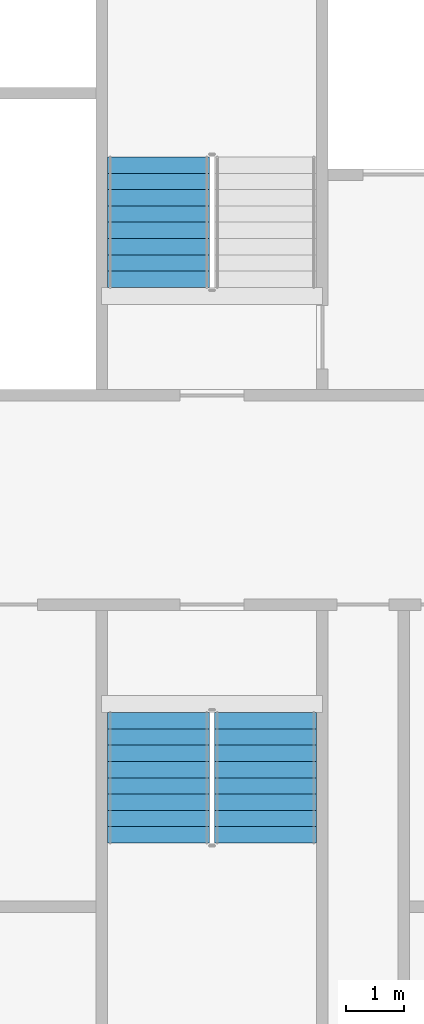
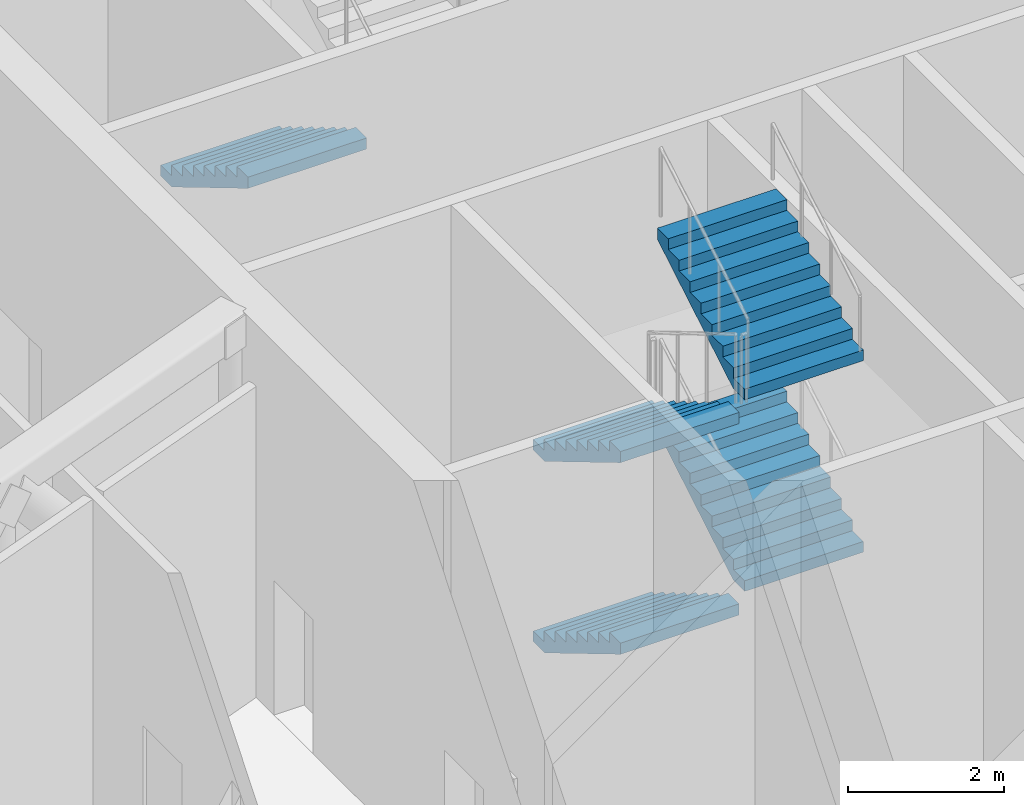
# One storey, part 25 of 40: 5 stair flights, 2 elements without a shape of their own.
"""IFC4 building model written with IfcOpenShell, lengths in metres."""

from ifc_helpers import new_model, si_unit, direction, frame, origin, place, context, subcontext, project, spatial, faceted_brep, material, type_object, element, aggregate, save


model = new_model("IFC4")

# Units and contexts
model_context = context("Model", 3, precision=1e-05, world=origin(), true_north=direction((0.0, 1.0)))
body_context = subcontext(model_context, "Body", "Model", "MODEL_VIEW")
ifc_project = project(units=[si_unit("LENGTHUNIT", "METRE"), si_unit("AREAUNIT", "SQUARE_METRE"), si_unit("VOLUMEUNIT", "CUBIC_METRE"), si_unit("PLANEANGLEUNIT", "RADIAN"), si_unit("MASSUNIT", "GRAM", prefix="KILO")], contexts=[model_context])

# Site, building, storey
site_placement = place(None, origin())
site = spatial("IfcSite", under=ifc_project, at=site_placement, CompositionType="ELEMENT")
building_placement = place(site_placement, origin())
building = spatial("IfcBuilding", under=site, at=building_placement, Name="Tarsis Ring Headquarters", CompositionType="ELEMENT")
storey_placement = place(building_placement, frame((0.0, 0.0, 354.800048828125)))
storey = spatial("IfcBuildingStorey", under=building, at=storey_placement, Name="L84", CompositionType="ELEMENT", Elevation=354.800048828125)

# Stair, stair flight
ifc_material_1 = material(Name="Core stair 1760")
stair_type = type_object("IfcStairType", Name="Core stair 1760", PredefinedType="HALF_TURN_STAIR", material=ifc_material_1)
stair_1_placement = place(storey_placement, origin())
stair_1 = element("IfcStair", 1, at=stair_1_placement, inside=storey, type_object=stair_type, Name="L84 Firefighting stair", PredefinedType="HALF_TURN_STAIR")
ifc_material_2 = material(Name="Concrete C40/50", Category="concrete")
stair_flight_type = type_object("IfcStairFlightType", Name="Core stair flight 1760", PredefinedType="STRAIGHT", material=ifc_material_2)
stair_flight_1_placement = place(storey_placement, frame((-5.419921875, 5.89990234375, 1.5), z_axis=(0.0, 0.0, 1.0), x_axis=(0.0, -1.0, 0.0)))
stair_flight_1 = element("IfcStairFlight", 2, at=stair_flight_1_placement, type_object=stair_flight_type, Name="Stair ST1 flight 2", NumberOfRisers=9, NumberOfTreads=8, PredefinedType="STRAIGHT", RiserHeight=0.166666667, TreadLength=0.28, context=body_context, shape_type="Brep", body=[
    faceted_brep([(0.0, 0.8798828125, 0.0), (0.0, 0.8798828125, 0.166748046875), (0.280029296875, 0.8798828125, 0.166748046875), (0.280029296875, 0.8798828125, 0.333251953125), (0.56005859375, 0.8798828125, 0.333251953125), (0.56005859375, 0.8798828125, 0.5), (0.840087890625, 0.8798828125, 0.5), (0.840087890625, 0.8798828125, 0.666748046875), (1.1201171875, 0.8798828125, 0.666748046875), (1.1201171875, 0.8798828125, 0.833251953125), (1.39990234375, 0.8798828125, 0.833251953125), (1.39990234375, 0.8798828125, 1.0), (1.679931640625, 0.8798828125, 1.0), (1.679931640625, 0.8798828125, 1.166748046875), (1.9599609375, 0.8798828125, 1.166748046875), (1.9599609375, 0.8798828125, 1.333251953125), (2.239990234375, 0.8798828125, 1.333251953125), (2.239990234375, 0.8798828125, 1.158935546875), (0.29296875, 0.8798828125, 0.0), (0.29296875, -0.8798828125, 0.0), (2.239990234375, -0.8798828125, 1.158935546875), (2.239990234375, -0.8798828125, 1.333251953125), (1.9599609375, -0.8798828125, 1.333251953125), (1.9599609375, -0.8798828125, 1.166748046875), (1.679931640625, -0.8798828125, 1.166748046875), (1.679931640625, -0.8798828125, 1.0), (1.39990234375, -0.8798828125, 1.0), (1.39990234375, -0.8798828125, 0.833251953125), (1.1201171875, -0.8798828125, 0.833251953125), (1.1201171875, -0.8798828125, 0.666748046875), (0.840087890625, -0.8798828125, 0.666748046875), (0.840087890625, -0.8798828125, 0.5), (0.56005859375, -0.8798828125, 0.5), (0.56005859375, -0.8798828125, 0.333251953125), (0.280029296875, -0.8798828125, 0.333251953125), (0.280029296875, -0.8798828125, 0.166748046875), (0.0, -0.8798828125, 0.166748046875), (0.0, -0.8798828125, 0.0), (0.0, -0.43994140625, 0.166748046875), (0.0, -0.43994140625, 0.0), (0.0, 0.0, 0.166748046875), (0.0, 0.0, 0.0), (0.0, 0.43994140625, 0.166748046875), (0.0, 0.43994140625, 0.0), (0.280029296875, -0.43994140625, 0.166748046875), (0.280029296875, 0.0, 0.166748046875), (0.280029296875, 0.43994140625, 0.166748046875), (0.280029296875, -0.43994140625, 0.333251953125), (0.280029296875, 0.0, 0.333251953125), (0.280029296875, 0.43994140625, 0.333251953125), (0.56005859375, -0.43994140625, 0.333251953125), (0.56005859375, 0.0, 0.333251953125), (0.56005859375, 0.43994140625, 0.333251953125), (0.56005859375, -0.43994140625, 0.5), (0.56005859375, 0.0, 0.5), (0.56005859375, 0.43994140625, 0.5), (0.840087890625, -0.43994140625, 0.5), (0.840087890625, 0.0, 0.5), (0.840087890625, 0.43994140625, 0.5), (0.840087890625, -0.43994140625, 0.666748046875), (0.840087890625, 0.0, 0.666748046875), (0.840087890625, 0.43994140625, 0.666748046875), (1.1201171875, -0.43994140625, 0.666748046875), (1.1201171875, 0.0, 0.666748046875), (1.1201171875, 0.43994140625, 0.666748046875), (1.1201171875, -0.43994140625, 0.833251953125), (1.1201171875, 0.0, 0.833251953125), (1.1201171875, 0.43994140625, 0.833251953125), (1.39990234375, -0.43994140625, 0.833251953125), (1.39990234375, 0.0, 0.833251953125), (1.39990234375, 0.43994140625, 0.833251953125), (1.39990234375, -0.43994140625, 1.0), (1.39990234375, 0.0, 1.0), (1.39990234375, 0.43994140625, 1.0), (1.679931640625, -0.43994140625, 1.0), (1.679931640625, 0.0, 1.0), (1.679931640625, 0.43994140625, 1.0), (1.679931640625, -0.43994140625, 1.166748046875), (1.679931640625, 0.0, 1.166748046875), (1.679931640625, 0.43994140625, 1.166748046875), (1.9599609375, -0.43994140625, 1.166748046875), (1.9599609375, 0.0, 1.166748046875), (1.9599609375, 0.43994140625, 1.166748046875), (1.9599609375, -0.43994140625, 1.333251953125), (1.9599609375, 0.0, 1.333251953125), (1.9599609375, 0.43994140625, 1.333251953125), (2.239990234375, -0.43994140625, 1.333251953125), (2.239990234375, 0.0, 1.333251953125), (2.239990234375, 0.43994140625, 1.333251953125), (2.239990234375, -0.43994140625, 1.158935546875), (2.239990234375, 0.0, 1.158935546875), (2.239990234375, 0.43994140625, 1.158935546875), (0.29296875, -0.43994140625, 0.0), (0.29296875, 0.0, 0.0), (0.29296875, 0.43994140625, 0.0)], [[[0, 1, 2, 3, 4, 5, 6, 7, 8, 9, 10, 11, 12, 13, 14, 15, 16, 17, 18]], [[19, 20, 21, 22, 23, 24, 25, 26, 27, 28, 29, 30, 31, 32, 33, 34, 35, 36, 37]], [[37, 36, 38, 39]], [[39, 38, 40, 41]], [[41, 40, 42, 43]], [[43, 42, 1, 0]], [[36, 35, 44, 38]], [[38, 44, 45, 40]], [[40, 45, 46, 42]], [[42, 46, 2, 1]], [[35, 34, 47, 44]], [[44, 47, 48, 45]], [[45, 48, 49, 46]], [[46, 49, 3, 2]], [[34, 33, 50, 47]], [[47, 50, 51, 48]], [[48, 51, 52, 49]], [[49, 52, 4, 3]], [[33, 32, 53, 50]], [[50, 53, 54, 51]], [[51, 54, 55, 52]], [[52, 55, 5, 4]], [[32, 31, 56, 53]], [[53, 56, 57, 54]], [[54, 57, 58, 55]], [[55, 58, 6, 5]], [[31, 30, 59, 56]], [[56, 59, 60, 57]], [[57, 60, 61, 58]], [[58, 61, 7, 6]], [[30, 29, 62, 59]], [[59, 62, 63, 60]], [[60, 63, 64, 61]], [[61, 64, 8, 7]], [[29, 28, 65, 62]], [[62, 65, 66, 63]], [[63, 66, 67, 64]], [[64, 67, 9, 8]], [[28, 27, 68, 65]], [[65, 68, 69, 66]], [[66, 69, 70, 67]], [[67, 70, 10, 9]], [[27, 26, 71, 68]], [[68, 71, 72, 69]], [[69, 72, 73, 70]], [[70, 73, 11, 10]], [[26, 25, 74, 71]], [[71, 74, 75, 72]], [[72, 75, 76, 73]], [[73, 76, 12, 11]], [[25, 24, 77, 74]], [[74, 77, 78, 75]], [[75, 78, 79, 76]], [[76, 79, 13, 12]], [[24, 23, 80, 77]], [[77, 80, 81, 78]], [[78, 81, 82, 79]], [[79, 82, 14, 13]], [[23, 22, 83, 80]], [[80, 83, 84, 81]], [[81, 84, 85, 82]], [[82, 85, 15, 14]], [[22, 21, 86, 83]], [[83, 86, 87, 84]], [[84, 87, 88, 85]], [[85, 88, 16, 15]], [[21, 20, 89, 86]], [[86, 89, 90, 87]], [[87, 90, 91, 88]], [[88, 91, 17, 16]], [[20, 19, 92, 89]], [[89, 92, 93, 90]], [[90, 93, 94, 91]], [[91, 94, 18, 17]], [[19, 37, 39, 92]], [[92, 39, 41, 93]], [[93, 41, 43, 94]], [[94, 43, 0, 18]]]),
])
aggregate(stair_1, [stair_flight_1])

# Stair, stair flights
stair_2_placement = place(storey_placement, origin())
stair_2 = element("IfcStair", 3, at=stair_2_placement, inside=storey, type_object=stair_type, Name="L84 Exit stair C", PredefinedType="HALF_TURN_STAIR")
stair_flight_2_placement = place(storey_placement, frame((-5.419921875, -3.659912109375, 0.0), z_axis=(0.0, 0.0, 1.0), x_axis=(0.0, -1.0, 0.0)))
stair_flight_2 = element("IfcStairFlight", 4, at=stair_flight_2_placement, type_object=stair_flight_type, Name="Stair ST3 flight 1", NumberOfRisers=9, NumberOfTreads=8, PredefinedType="STRAIGHT", RiserHeight=0.166666667, TreadLength=0.28, context=body_context, shape_type="Brep", body=[
    faceted_brep([(0.0, 0.8798828125, 0.0), (0.0, 0.8798828125, 0.166748046875), (0.280029296875, 0.8798828125, 0.166748046875), (0.280029296875, 0.8798828125, 0.333251953125), (0.56005859375, 0.8798828125, 0.333251953125), (0.56005859375, 0.8798828125, 0.5), (0.840087890625, 0.8798828125, 0.5), (0.840087890625, 0.8798828125, 0.666748046875), (1.1201171875, 0.8798828125, 0.666748046875), (1.1201171875, 0.8798828125, 0.833251953125), (1.39990234375, 0.8798828125, 0.833251953125), (1.39990234375, 0.8798828125, 1.0), (1.679931640625, 0.8798828125, 1.0), (1.679931640625, 0.8798828125, 1.166748046875), (1.9599609375, 0.8798828125, 1.166748046875), (1.9599609375, 0.8798828125, 1.333251953125), (2.239990234375, 0.8798828125, 1.333251953125), (2.239990234375, 0.8798828125, 1.158935546875), (0.29296875, 0.8798828125, 0.0), (0.29296875, -0.8798828125, 0.0), (2.239990234375, -0.8798828125, 1.158935546875), (2.239990234375, -0.8798828125, 1.333251953125), (1.9599609375, -0.8798828125, 1.333251953125), (1.9599609375, -0.8798828125, 1.166748046875), (1.679931640625, -0.8798828125, 1.166748046875), (1.679931640625, -0.8798828125, 1.0), (1.39990234375, -0.8798828125, 1.0), (1.39990234375, -0.8798828125, 0.833251953125), (1.1201171875, -0.8798828125, 0.833251953125), (1.1201171875, -0.8798828125, 0.666748046875), (0.840087890625, -0.8798828125, 0.666748046875), (0.840087890625, -0.8798828125, 0.5), (0.56005859375, -0.8798828125, 0.5), (0.56005859375, -0.8798828125, 0.333251953125), (0.280029296875, -0.8798828125, 0.333251953125), (0.280029296875, -0.8798828125, 0.166748046875), (0.0, -0.8798828125, 0.166748046875), (0.0, -0.8798828125, 0.0), (0.0, -0.43994140625, 0.166748046875), (0.0, -0.43994140625, 0.0), (0.0, 0.0, 0.166748046875), (0.0, 0.0, 0.0), (0.0, 0.43994140625, 0.166748046875), (0.0, 0.43994140625, 0.0), (0.280029296875, -0.43994140625, 0.166748046875), (0.280029296875, 0.0, 0.166748046875), (0.280029296875, 0.43994140625, 0.166748046875), (0.280029296875, -0.43994140625, 0.333251953125), (0.280029296875, 0.0, 0.333251953125), (0.280029296875, 0.43994140625, 0.333251953125), (0.56005859375, -0.43994140625, 0.333251953125), (0.56005859375, 0.0, 0.333251953125), (0.56005859375, 0.43994140625, 0.333251953125), (0.56005859375, -0.43994140625, 0.5), (0.56005859375, 0.0, 0.5), (0.56005859375, 0.43994140625, 0.5), (0.840087890625, -0.43994140625, 0.5), (0.840087890625, 0.0, 0.5), (0.840087890625, 0.43994140625, 0.5), (0.840087890625, -0.43994140625, 0.666748046875), (0.840087890625, 0.0, 0.666748046875), (0.840087890625, 0.43994140625, 0.666748046875), (1.1201171875, -0.43994140625, 0.666748046875), (1.1201171875, 0.0, 0.666748046875), (1.1201171875, 0.43994140625, 0.666748046875), (1.1201171875, -0.43994140625, 0.833251953125), (1.1201171875, 0.0, 0.833251953125), (1.1201171875, 0.43994140625, 0.833251953125), (1.39990234375, -0.43994140625, 0.833251953125), (1.39990234375, 0.0, 0.833251953125), (1.39990234375, 0.43994140625, 0.833251953125), (1.39990234375, -0.43994140625, 1.0), (1.39990234375, 0.0, 1.0), (1.39990234375, 0.43994140625, 1.0), (1.679931640625, -0.43994140625, 1.0), (1.679931640625, 0.0, 1.0), (1.679931640625, 0.43994140625, 1.0), (1.679931640625, -0.43994140625, 1.166748046875), (1.679931640625, 0.0, 1.166748046875), (1.679931640625, 0.43994140625, 1.166748046875), (1.9599609375, -0.43994140625, 1.166748046875), (1.9599609375, 0.0, 1.166748046875), (1.9599609375, 0.43994140625, 1.166748046875), (1.9599609375, -0.43994140625, 1.333251953125), (1.9599609375, 0.0, 1.333251953125), (1.9599609375, 0.43994140625, 1.333251953125), (2.239990234375, -0.43994140625, 1.333251953125), (2.239990234375, 0.0, 1.333251953125), (2.239990234375, 0.43994140625, 1.333251953125), (2.239990234375, -0.43994140625, 1.158935546875), (2.239990234375, 0.0, 1.158935546875), (2.239990234375, 0.43994140625, 1.158935546875), (0.29296875, -0.43994140625, 0.0), (0.29296875, 0.0, 0.0), (0.29296875, 0.43994140625, 0.0)], [[[0, 1, 2, 3, 4, 5, 6, 7, 8, 9, 10, 11, 12, 13, 14, 15, 16, 17, 18]], [[19, 20, 21, 22, 23, 24, 25, 26, 27, 28, 29, 30, 31, 32, 33, 34, 35, 36, 37]], [[37, 36, 38, 39]], [[39, 38, 40, 41]], [[41, 40, 42, 43]], [[43, 42, 1, 0]], [[36, 35, 44, 38]], [[38, 44, 45, 40]], [[40, 45, 46, 42]], [[42, 46, 2, 1]], [[35, 34, 47, 44]], [[44, 47, 48, 45]], [[45, 48, 49, 46]], [[46, 49, 3, 2]], [[34, 33, 50, 47]], [[47, 50, 51, 48]], [[48, 51, 52, 49]], [[49, 52, 4, 3]], [[33, 32, 53, 50]], [[50, 53, 54, 51]], [[51, 54, 55, 52]], [[52, 55, 5, 4]], [[32, 31, 56, 53]], [[53, 56, 57, 54]], [[54, 57, 58, 55]], [[55, 58, 6, 5]], [[31, 30, 59, 56]], [[56, 59, 60, 57]], [[57, 60, 61, 58]], [[58, 61, 7, 6]], [[30, 29, 62, 59]], [[59, 62, 63, 60]], [[60, 63, 64, 61]], [[61, 64, 8, 7]], [[29, 28, 65, 62]], [[62, 65, 66, 63]], [[63, 66, 67, 64]], [[64, 67, 9, 8]], [[28, 27, 68, 65]], [[65, 68, 69, 66]], [[66, 69, 70, 67]], [[67, 70, 10, 9]], [[27, 26, 71, 68]], [[68, 71, 72, 69]], [[69, 72, 73, 70]], [[70, 73, 11, 10]], [[26, 25, 74, 71]], [[71, 74, 75, 72]], [[72, 75, 76, 73]], [[73, 76, 12, 11]], [[25, 24, 77, 74]], [[74, 77, 78, 75]], [[75, 78, 79, 76]], [[76, 79, 13, 12]], [[24, 23, 80, 77]], [[77, 80, 81, 78]], [[78, 81, 82, 79]], [[79, 82, 14, 13]], [[23, 22, 83, 80]], [[80, 83, 84, 81]], [[81, 84, 85, 82]], [[82, 85, 15, 14]], [[22, 21, 86, 83]], [[83, 86, 87, 84]], [[84, 87, 88, 85]], [[85, 88, 16, 15]], [[21, 20, 89, 86]], [[86, 89, 90, 87]], [[87, 90, 91, 88]], [[88, 91, 17, 16]], [[20, 19, 92, 89]], [[89, 92, 93, 90]], [[90, 93, 94, 91]], [[91, 94, 18, 17]], [[19, 37, 39, 92]], [[92, 39, 41, 93]], [[93, 41, 43, 94]], [[94, 43, 0, 18]]]),
])
stair_flight_3_placement = place(storey_placement, frame((-3.580078125, -5.89990234375, 1.5), z_axis=(0.0, 0.0, 1.0), x_axis=(0.0, 1.0, 0.0)))
stair_flight_3 = element("IfcStairFlight", 5, at=stair_flight_3_placement, type_object=stair_flight_type, Name="Stair ST3 flight 2", NumberOfRisers=9, NumberOfTreads=8, PredefinedType="STRAIGHT", RiserHeight=0.166666667, TreadLength=0.28, context=body_context, shape_type="Brep", body=[
    faceted_brep([(0.0, 0.8798828125, 0.0), (0.0, 0.8798828125, 0.166748046875), (0.280029296875, 0.8798828125, 0.166748046875), (0.280029296875, 0.8798828125, 0.333251953125), (0.56005859375, 0.8798828125, 0.333251953125), (0.56005859375, 0.8798828125, 0.5), (0.840087890625, 0.8798828125, 0.5), (0.840087890625, 0.8798828125, 0.666748046875), (1.1201171875, 0.8798828125, 0.666748046875), (1.1201171875, 0.8798828125, 0.833251953125), (1.39990234375, 0.8798828125, 0.833251953125), (1.39990234375, 0.8798828125, 1.0), (1.679931640625, 0.8798828125, 1.0), (1.679931640625, 0.8798828125, 1.166748046875), (1.9599609375, 0.8798828125, 1.166748046875), (1.9599609375, 0.8798828125, 1.333251953125), (2.239990234375, 0.8798828125, 1.333251953125), (2.239990234375, 0.8798828125, 1.158935546875), (0.29296875, 0.8798828125, 0.0), (0.29296875, -0.8798828125, 0.0), (2.239990234375, -0.8798828125, 1.158935546875), (2.239990234375, -0.8798828125, 1.333251953125), (1.9599609375, -0.8798828125, 1.333251953125), (1.9599609375, -0.8798828125, 1.166748046875), (1.679931640625, -0.8798828125, 1.166748046875), (1.679931640625, -0.8798828125, 1.0), (1.39990234375, -0.8798828125, 1.0), (1.39990234375, -0.8798828125, 0.833251953125), (1.1201171875, -0.8798828125, 0.833251953125), (1.1201171875, -0.8798828125, 0.666748046875), (0.840087890625, -0.8798828125, 0.666748046875), (0.840087890625, -0.8798828125, 0.5), (0.56005859375, -0.8798828125, 0.5), (0.56005859375, -0.8798828125, 0.333251953125), (0.280029296875, -0.8798828125, 0.333251953125), (0.280029296875, -0.8798828125, 0.166748046875), (0.0, -0.8798828125, 0.166748046875), (0.0, -0.8798828125, 0.0), (0.0, -0.43994140625, 0.166748046875), (0.0, -0.43994140625, 0.0), (0.0, 0.0, 0.166748046875), (0.0, 0.0, 0.0), (0.0, 0.43994140625, 0.166748046875), (0.0, 0.43994140625, 0.0), (0.280029296875, -0.43994140625, 0.166748046875), (0.280029296875, 0.0, 0.166748046875), (0.280029296875, 0.43994140625, 0.166748046875), (0.280029296875, -0.43994140625, 0.333251953125), (0.280029296875, 0.0, 0.333251953125), (0.280029296875, 0.43994140625, 0.333251953125), (0.56005859375, -0.43994140625, 0.333251953125), (0.56005859375, 0.0, 0.333251953125), (0.56005859375, 0.43994140625, 0.333251953125), (0.56005859375, -0.43994140625, 0.5), (0.56005859375, 0.0, 0.5), (0.56005859375, 0.43994140625, 0.5), (0.840087890625, -0.43994140625, 0.5), (0.840087890625, 0.0, 0.5), (0.840087890625, 0.43994140625, 0.5), (0.840087890625, -0.43994140625, 0.666748046875), (0.840087890625, 0.0, 0.666748046875), (0.840087890625, 0.43994140625, 0.666748046875), (1.1201171875, -0.43994140625, 0.666748046875), (1.1201171875, 0.0, 0.666748046875), (1.1201171875, 0.43994140625, 0.666748046875), (1.1201171875, -0.43994140625, 0.833251953125), (1.1201171875, 0.0, 0.833251953125), (1.1201171875, 0.43994140625, 0.833251953125), (1.39990234375, -0.43994140625, 0.833251953125), (1.39990234375, 0.0, 0.833251953125), (1.39990234375, 0.43994140625, 0.833251953125), (1.39990234375, -0.43994140625, 1.0), (1.39990234375, 0.0, 1.0), (1.39990234375, 0.43994140625, 1.0), (1.679931640625, -0.43994140625, 1.0), (1.679931640625, 0.0, 1.0), (1.679931640625, 0.43994140625, 1.0), (1.679931640625, -0.43994140625, 1.166748046875), (1.679931640625, 0.0, 1.166748046875), (1.679931640625, 0.43994140625, 1.166748046875), (1.9599609375, -0.43994140625, 1.166748046875), (1.9599609375, 0.0, 1.166748046875), (1.9599609375, 0.43994140625, 1.166748046875), (1.9599609375, -0.43994140625, 1.333251953125), (1.9599609375, 0.0, 1.333251953125), (1.9599609375, 0.43994140625, 1.333251953125), (2.239990234375, -0.43994140625, 1.333251953125), (2.239990234375, 0.0, 1.333251953125), (2.239990234375, 0.43994140625, 1.333251953125), (2.239990234375, -0.43994140625, 1.158935546875), (2.239990234375, 0.0, 1.158935546875), (2.239990234375, 0.43994140625, 1.158935546875), (0.29296875, -0.43994140625, 0.0), (0.29296875, 0.0, 0.0), (0.29296875, 0.43994140625, 0.0)], [[[0, 1, 2, 3, 4, 5, 6, 7, 8, 9, 10, 11, 12, 13, 14, 15, 16, 17, 18]], [[19, 20, 21, 22, 23, 24, 25, 26, 27, 28, 29, 30, 31, 32, 33, 34, 35, 36, 37]], [[37, 36, 38, 39]], [[39, 38, 40, 41]], [[41, 40, 42, 43]], [[43, 42, 1, 0]], [[36, 35, 44, 38]], [[38, 44, 45, 40]], [[40, 45, 46, 42]], [[42, 46, 2, 1]], [[35, 34, 47, 44]], [[44, 47, 48, 45]], [[45, 48, 49, 46]], [[46, 49, 3, 2]], [[34, 33, 50, 47]], [[47, 50, 51, 48]], [[48, 51, 52, 49]], [[49, 52, 4, 3]], [[33, 32, 53, 50]], [[50, 53, 54, 51]], [[51, 54, 55, 52]], [[52, 55, 5, 4]], [[32, 31, 56, 53]], [[53, 56, 57, 54]], [[54, 57, 58, 55]], [[55, 58, 6, 5]], [[31, 30, 59, 56]], [[56, 59, 60, 57]], [[57, 60, 61, 58]], [[58, 61, 7, 6]], [[30, 29, 62, 59]], [[59, 62, 63, 60]], [[60, 63, 64, 61]], [[61, 64, 8, 7]], [[29, 28, 65, 62]], [[62, 65, 66, 63]], [[63, 66, 67, 64]], [[64, 67, 9, 8]], [[28, 27, 68, 65]], [[65, 68, 69, 66]], [[66, 69, 70, 67]], [[67, 70, 10, 9]], [[27, 26, 71, 68]], [[68, 71, 72, 69]], [[69, 72, 73, 70]], [[70, 73, 11, 10]], [[26, 25, 74, 71]], [[71, 74, 75, 72]], [[72, 75, 76, 73]], [[73, 76, 12, 11]], [[25, 24, 77, 74]], [[74, 77, 78, 75]], [[75, 78, 79, 76]], [[76, 79, 13, 12]], [[24, 23, 80, 77]], [[77, 80, 81, 78]], [[78, 81, 82, 79]], [[79, 82, 14, 13]], [[23, 22, 83, 80]], [[80, 83, 84, 81]], [[81, 84, 85, 82]], [[82, 85, 15, 14]], [[22, 21, 86, 83]], [[83, 86, 87, 84]], [[84, 87, 88, 85]], [[85, 88, 16, 15]], [[21, 20, 89, 86]], [[86, 89, 90, 87]], [[87, 90, 91, 88]], [[88, 91, 17, 16]], [[20, 19, 92, 89]], [[89, 92, 93, 90]], [[90, 93, 94, 91]], [[91, 94, 18, 17]], [[19, 37, 39, 92]], [[92, 39, 41, 93]], [[93, 41, 43, 94]], [[94, 43, 0, 18]]]),
])
stair_flight_4_placement = place(storey_placement, frame((-5.419921875, -3.659912109375, 3.0), z_axis=(0.0, 0.0, 1.0), x_axis=(0.0, -1.0, 0.0)))
stair_flight_4 = element("IfcStairFlight", 6, at=stair_flight_4_placement, type_object=stair_flight_type, Name="Stair ST3 flight 3", NumberOfRisers=9, NumberOfTreads=8, PredefinedType="STRAIGHT", RiserHeight=0.166666667, TreadLength=0.28, context=body_context, shape_type="Brep", body=[
    faceted_brep([(0.0, 0.8798828125, 0.0), (0.0, 0.8798828125, 0.166748046875), (0.280029296875, 0.8798828125, 0.166748046875), (0.280029296875, 0.8798828125, 0.333251953125), (0.56005859375, 0.8798828125, 0.333251953125), (0.56005859375, 0.8798828125, 0.5), (0.840087890625, 0.8798828125, 0.5), (0.840087890625, 0.8798828125, 0.666748046875), (1.1201171875, 0.8798828125, 0.666748046875), (1.1201171875, 0.8798828125, 0.833251953125), (1.39990234375, 0.8798828125, 0.833251953125), (1.39990234375, 0.8798828125, 1.0), (1.679931640625, 0.8798828125, 1.0), (1.679931640625, 0.8798828125, 1.166748046875), (1.9599609375, 0.8798828125, 1.166748046875), (1.9599609375, 0.8798828125, 1.333251953125), (2.239990234375, 0.8798828125, 1.333251953125), (2.239990234375, 0.8798828125, 1.158935546875), (0.29296875, 0.8798828125, 0.0), (0.29296875, -0.8798828125, 0.0), (2.239990234375, -0.8798828125, 1.158935546875), (2.239990234375, -0.8798828125, 1.333251953125), (1.9599609375, -0.8798828125, 1.333251953125), (1.9599609375, -0.8798828125, 1.166748046875), (1.679931640625, -0.8798828125, 1.166748046875), (1.679931640625, -0.8798828125, 1.0), (1.39990234375, -0.8798828125, 1.0), (1.39990234375, -0.8798828125, 0.833251953125), (1.1201171875, -0.8798828125, 0.833251953125), (1.1201171875, -0.8798828125, 0.666748046875), (0.840087890625, -0.8798828125, 0.666748046875), (0.840087890625, -0.8798828125, 0.5), (0.56005859375, -0.8798828125, 0.5), (0.56005859375, -0.8798828125, 0.333251953125), (0.280029296875, -0.8798828125, 0.333251953125), (0.280029296875, -0.8798828125, 0.166748046875), (0.0, -0.8798828125, 0.166748046875), (0.0, -0.8798828125, 0.0), (0.0, -0.43994140625, 0.166748046875), (0.0, -0.43994140625, 0.0), (0.0, 0.0, 0.166748046875), (0.0, 0.0, 0.0), (0.0, 0.43994140625, 0.166748046875), (0.0, 0.43994140625, 0.0), (0.280029296875, -0.43994140625, 0.166748046875), (0.280029296875, 0.0, 0.166748046875), (0.280029296875, 0.43994140625, 0.166748046875), (0.280029296875, -0.43994140625, 0.333251953125), (0.280029296875, 0.0, 0.333251953125), (0.280029296875, 0.43994140625, 0.333251953125), (0.56005859375, -0.43994140625, 0.333251953125), (0.56005859375, 0.0, 0.333251953125), (0.56005859375, 0.43994140625, 0.333251953125), (0.56005859375, -0.43994140625, 0.5), (0.56005859375, 0.0, 0.5), (0.56005859375, 0.43994140625, 0.5), (0.840087890625, -0.43994140625, 0.5), (0.840087890625, 0.0, 0.5), (0.840087890625, 0.43994140625, 0.5), (0.840087890625, -0.43994140625, 0.666748046875), (0.840087890625, 0.0, 0.666748046875), (0.840087890625, 0.43994140625, 0.666748046875), (1.1201171875, -0.43994140625, 0.666748046875), (1.1201171875, 0.0, 0.666748046875), (1.1201171875, 0.43994140625, 0.666748046875), (1.1201171875, -0.43994140625, 0.833251953125), (1.1201171875, 0.0, 0.833251953125), (1.1201171875, 0.43994140625, 0.833251953125), (1.39990234375, -0.43994140625, 0.833251953125), (1.39990234375, 0.0, 0.833251953125), (1.39990234375, 0.43994140625, 0.833251953125), (1.39990234375, -0.43994140625, 1.0), (1.39990234375, 0.0, 1.0), (1.39990234375, 0.43994140625, 1.0), (1.679931640625, -0.43994140625, 1.0), (1.679931640625, 0.0, 1.0), (1.679931640625, 0.43994140625, 1.0), (1.679931640625, -0.43994140625, 1.166748046875), (1.679931640625, 0.0, 1.166748046875), (1.679931640625, 0.43994140625, 1.166748046875), (1.9599609375, -0.43994140625, 1.166748046875), (1.9599609375, 0.0, 1.166748046875), (1.9599609375, 0.43994140625, 1.166748046875), (1.9599609375, -0.43994140625, 1.333251953125), (1.9599609375, 0.0, 1.333251953125), (1.9599609375, 0.43994140625, 1.333251953125), (2.239990234375, -0.43994140625, 1.333251953125), (2.239990234375, 0.0, 1.333251953125), (2.239990234375, 0.43994140625, 1.333251953125), (2.239990234375, -0.43994140625, 1.158935546875), (2.239990234375, 0.0, 1.158935546875), (2.239990234375, 0.43994140625, 1.158935546875), (0.29296875, -0.43994140625, 0.0), (0.29296875, 0.0, 0.0), (0.29296875, 0.43994140625, 0.0)], [[[0, 1, 2, 3, 4, 5, 6, 7, 8, 9, 10, 11, 12, 13, 14, 15, 16, 17, 18]], [[19, 20, 21, 22, 23, 24, 25, 26, 27, 28, 29, 30, 31, 32, 33, 34, 35, 36, 37]], [[37, 36, 38, 39]], [[39, 38, 40, 41]], [[41, 40, 42, 43]], [[43, 42, 1, 0]], [[36, 35, 44, 38]], [[38, 44, 45, 40]], [[40, 45, 46, 42]], [[42, 46, 2, 1]], [[35, 34, 47, 44]], [[44, 47, 48, 45]], [[45, 48, 49, 46]], [[46, 49, 3, 2]], [[34, 33, 50, 47]], [[47, 50, 51, 48]], [[48, 51, 52, 49]], [[49, 52, 4, 3]], [[33, 32, 53, 50]], [[50, 53, 54, 51]], [[51, 54, 55, 52]], [[52, 55, 5, 4]], [[32, 31, 56, 53]], [[53, 56, 57, 54]], [[54, 57, 58, 55]], [[55, 58, 6, 5]], [[31, 30, 59, 56]], [[56, 59, 60, 57]], [[57, 60, 61, 58]], [[58, 61, 7, 6]], [[30, 29, 62, 59]], [[59, 62, 63, 60]], [[60, 63, 64, 61]], [[61, 64, 8, 7]], [[29, 28, 65, 62]], [[62, 65, 66, 63]], [[63, 66, 67, 64]], [[64, 67, 9, 8]], [[28, 27, 68, 65]], [[65, 68, 69, 66]], [[66, 69, 70, 67]], [[67, 70, 10, 9]], [[27, 26, 71, 68]], [[68, 71, 72, 69]], [[69, 72, 73, 70]], [[70, 73, 11, 10]], [[26, 25, 74, 71]], [[71, 74, 75, 72]], [[72, 75, 76, 73]], [[73, 76, 12, 11]], [[25, 24, 77, 74]], [[74, 77, 78, 75]], [[75, 78, 79, 76]], [[76, 79, 13, 12]], [[24, 23, 80, 77]], [[77, 80, 81, 78]], [[78, 81, 82, 79]], [[79, 82, 14, 13]], [[23, 22, 83, 80]], [[80, 83, 84, 81]], [[81, 84, 85, 82]], [[82, 85, 15, 14]], [[22, 21, 86, 83]], [[83, 86, 87, 84]], [[84, 87, 88, 85]], [[85, 88, 16, 15]], [[21, 20, 89, 86]], [[86, 89, 90, 87]], [[87, 90, 91, 88]], [[88, 91, 17, 16]], [[20, 19, 92, 89]], [[89, 92, 93, 90]], [[90, 93, 94, 91]], [[91, 94, 18, 17]], [[19, 37, 39, 92]], [[92, 39, 41, 93]], [[93, 41, 43, 94]], [[94, 43, 0, 18]]]),
])
stair_flight_5_placement = place(storey_placement, frame((-3.580078125, -5.89990234375, 4.5), z_axis=(0.0, 0.0, 1.0), x_axis=(0.0, 1.0, 0.0)))
stair_flight_5 = element("IfcStairFlight", 7, at=stair_flight_5_placement, type_object=stair_flight_type, Name="Stair ST3 flight 4", NumberOfRisers=9, NumberOfTreads=8, PredefinedType="STRAIGHT", RiserHeight=0.166666667, TreadLength=0.28, context=body_context, shape_type="Brep", body=[
    faceted_brep([(0.0, 0.8798828125, 0.0), (0.0, 0.8798828125, 0.166748046875), (0.280029296875, 0.8798828125, 0.166748046875), (0.280029296875, 0.8798828125, 0.333251953125), (0.56005859375, 0.8798828125, 0.333251953125), (0.56005859375, 0.8798828125, 0.5), (0.840087890625, 0.8798828125, 0.5), (0.840087890625, 0.8798828125, 0.666748046875), (1.1201171875, 0.8798828125, 0.666748046875), (1.1201171875, 0.8798828125, 0.833251953125), (1.39990234375, 0.8798828125, 0.833251953125), (1.39990234375, 0.8798828125, 1.0), (1.679931640625, 0.8798828125, 1.0), (1.679931640625, 0.8798828125, 1.166748046875), (1.9599609375, 0.8798828125, 1.166748046875), (1.9599609375, 0.8798828125, 1.333251953125), (2.239990234375, 0.8798828125, 1.333251953125), (2.239990234375, 0.8798828125, 1.158935546875), (0.29296875, 0.8798828125, 0.0), (0.29296875, -0.8798828125, 0.0), (2.239990234375, -0.8798828125, 1.158935546875), (2.239990234375, -0.8798828125, 1.333251953125), (1.9599609375, -0.8798828125, 1.333251953125), (1.9599609375, -0.8798828125, 1.166748046875), (1.679931640625, -0.8798828125, 1.166748046875), (1.679931640625, -0.8798828125, 1.0), (1.39990234375, -0.8798828125, 1.0), (1.39990234375, -0.8798828125, 0.833251953125), (1.1201171875, -0.8798828125, 0.833251953125), (1.1201171875, -0.8798828125, 0.666748046875), (0.840087890625, -0.8798828125, 0.666748046875), (0.840087890625, -0.8798828125, 0.5), (0.56005859375, -0.8798828125, 0.5), (0.56005859375, -0.8798828125, 0.333251953125), (0.280029296875, -0.8798828125, 0.333251953125), (0.280029296875, -0.8798828125, 0.166748046875), (0.0, -0.8798828125, 0.166748046875), (0.0, -0.8798828125, 0.0), (0.0, -0.43994140625, 0.166748046875), (0.0, -0.43994140625, 0.0), (0.0, 0.0, 0.166748046875), (0.0, 0.0, 0.0), (0.0, 0.43994140625, 0.166748046875), (0.0, 0.43994140625, 0.0), (0.280029296875, -0.43994140625, 0.166748046875), (0.280029296875, 0.0, 0.166748046875), (0.280029296875, 0.43994140625, 0.166748046875), (0.280029296875, -0.43994140625, 0.333251953125), (0.280029296875, 0.0, 0.333251953125), (0.280029296875, 0.43994140625, 0.333251953125), (0.56005859375, -0.43994140625, 0.333251953125), (0.56005859375, 0.0, 0.333251953125), (0.56005859375, 0.43994140625, 0.333251953125), (0.56005859375, -0.43994140625, 0.5), (0.56005859375, 0.0, 0.5), (0.56005859375, 0.43994140625, 0.5), (0.840087890625, -0.43994140625, 0.5), (0.840087890625, 0.0, 0.5), (0.840087890625, 0.43994140625, 0.5), (0.840087890625, -0.43994140625, 0.666748046875), (0.840087890625, 0.0, 0.666748046875), (0.840087890625, 0.43994140625, 0.666748046875), (1.1201171875, -0.43994140625, 0.666748046875), (1.1201171875, 0.0, 0.666748046875), (1.1201171875, 0.43994140625, 0.666748046875), (1.1201171875, -0.43994140625, 0.833251953125), (1.1201171875, 0.0, 0.833251953125), (1.1201171875, 0.43994140625, 0.833251953125), (1.39990234375, -0.43994140625, 0.833251953125), (1.39990234375, 0.0, 0.833251953125), (1.39990234375, 0.43994140625, 0.833251953125), (1.39990234375, -0.43994140625, 1.0), (1.39990234375, 0.0, 1.0), (1.39990234375, 0.43994140625, 1.0), (1.679931640625, -0.43994140625, 1.0), (1.679931640625, 0.0, 1.0), (1.679931640625, 0.43994140625, 1.0), (1.679931640625, -0.43994140625, 1.166748046875), (1.679931640625, 0.0, 1.166748046875), (1.679931640625, 0.43994140625, 1.166748046875), (1.9599609375, -0.43994140625, 1.166748046875), (1.9599609375, 0.0, 1.166748046875), (1.9599609375, 0.43994140625, 1.166748046875), (1.9599609375, -0.43994140625, 1.333251953125), (1.9599609375, 0.0, 1.333251953125), (1.9599609375, 0.43994140625, 1.333251953125), (2.239990234375, -0.43994140625, 1.333251953125), (2.239990234375, 0.0, 1.333251953125), (2.239990234375, 0.43994140625, 1.333251953125), (2.239990234375, -0.43994140625, 1.158935546875), (2.239990234375, 0.0, 1.158935546875), (2.239990234375, 0.43994140625, 1.158935546875), (0.29296875, -0.43994140625, 0.0), (0.29296875, 0.0, 0.0), (0.29296875, 0.43994140625, 0.0)], [[[0, 1, 2, 3, 4, 5, 6, 7, 8, 9, 10, 11, 12, 13, 14, 15, 16, 17, 18]], [[19, 20, 21, 22, 23, 24, 25, 26, 27, 28, 29, 30, 31, 32, 33, 34, 35, 36, 37]], [[37, 36, 38, 39]], [[39, 38, 40, 41]], [[41, 40, 42, 43]], [[43, 42, 1, 0]], [[36, 35, 44, 38]], [[38, 44, 45, 40]], [[40, 45, 46, 42]], [[42, 46, 2, 1]], [[35, 34, 47, 44]], [[44, 47, 48, 45]], [[45, 48, 49, 46]], [[46, 49, 3, 2]], [[34, 33, 50, 47]], [[47, 50, 51, 48]], [[48, 51, 52, 49]], [[49, 52, 4, 3]], [[33, 32, 53, 50]], [[50, 53, 54, 51]], [[51, 54, 55, 52]], [[52, 55, 5, 4]], [[32, 31, 56, 53]], [[53, 56, 57, 54]], [[54, 57, 58, 55]], [[55, 58, 6, 5]], [[31, 30, 59, 56]], [[56, 59, 60, 57]], [[57, 60, 61, 58]], [[58, 61, 7, 6]], [[30, 29, 62, 59]], [[59, 62, 63, 60]], [[60, 63, 64, 61]], [[61, 64, 8, 7]], [[29, 28, 65, 62]], [[62, 65, 66, 63]], [[63, 66, 67, 64]], [[64, 67, 9, 8]], [[28, 27, 68, 65]], [[65, 68, 69, 66]], [[66, 69, 70, 67]], [[67, 70, 10, 9]], [[27, 26, 71, 68]], [[68, 71, 72, 69]], [[69, 72, 73, 70]], [[70, 73, 11, 10]], [[26, 25, 74, 71]], [[71, 74, 75, 72]], [[72, 75, 76, 73]], [[73, 76, 12, 11]], [[25, 24, 77, 74]], [[74, 77, 78, 75]], [[75, 78, 79, 76]], [[76, 79, 13, 12]], [[24, 23, 80, 77]], [[77, 80, 81, 78]], [[78, 81, 82, 79]], [[79, 82, 14, 13]], [[23, 22, 83, 80]], [[80, 83, 84, 81]], [[81, 84, 85, 82]], [[82, 85, 15, 14]], [[22, 21, 86, 83]], [[83, 86, 87, 84]], [[84, 87, 88, 85]], [[85, 88, 16, 15]], [[21, 20, 89, 86]], [[86, 89, 90, 87]], [[87, 90, 91, 88]], [[88, 91, 17, 16]], [[20, 19, 92, 89]], [[89, 92, 93, 90]], [[90, 93, 94, 91]], [[91, 94, 18, 17]], [[19, 37, 39, 92]], [[92, 39, 41, 93]], [[93, 41, 43, 94]], [[94, 43, 0, 18]]]),
])
aggregate(stair_2, [stair_flight_2, stair_flight_3, stair_flight_4, stair_flight_5])

save(model, "model.ifc")
